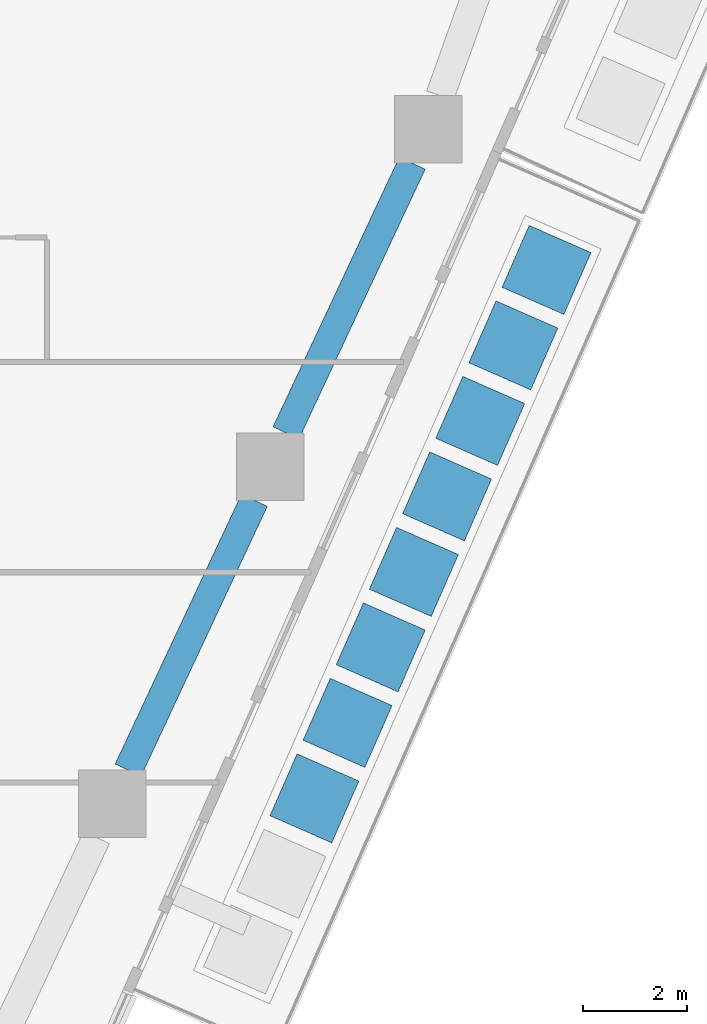
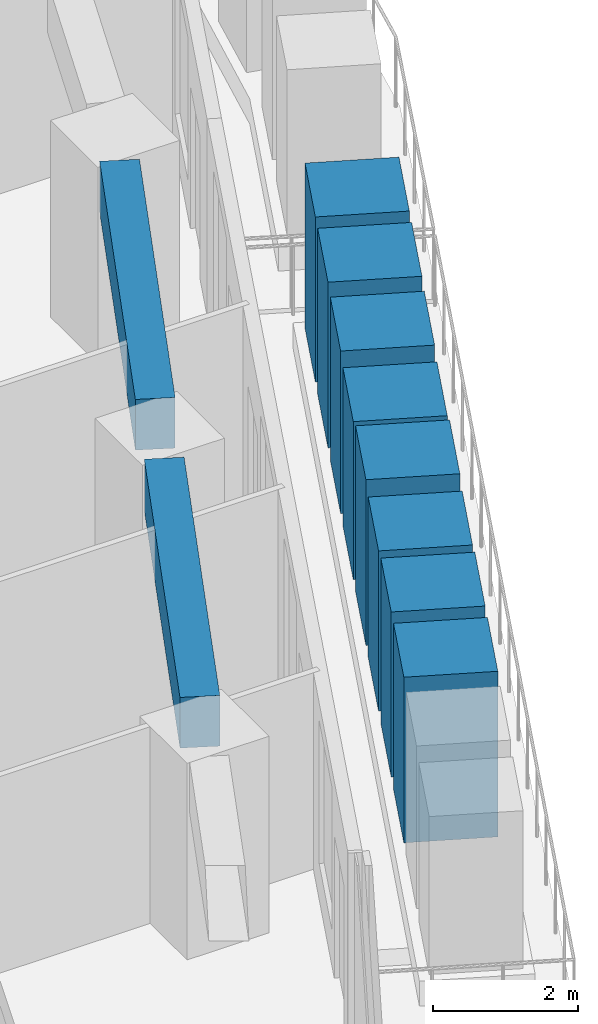
# One storey, part 5 of 23: 8 members, 2 beams.
"""IFC4 building model written with IfcOpenShell, lengths in metres."""

from ifc_helpers import new_model, si_unit, direction, frame, origin, origin_2d, place, context, subcontext, project, spatial, rectangle, extrude, material, material_profile, profile_set, type_object, element, save


model = new_model("IFC4")

# Units and contexts
model_context = context("Model", 3, precision=1e-05, world=origin(), true_north=direction((0.0, 1.0)))
body_context = subcontext(model_context, "Body", "Model", "MODEL_VIEW")
ifc_project = project(units=[si_unit("LENGTHUNIT", "METRE"), si_unit("AREAUNIT", "SQUARE_METRE"), si_unit("VOLUMEUNIT", "CUBIC_METRE"), si_unit("PLANEANGLEUNIT", "RADIAN"), si_unit("MASSUNIT", "GRAM", prefix="KILO")], contexts=[model_context])

# Site, building, storey
site_placement = place(None, origin())
site = spatial("IfcSite", under=ifc_project, at=site_placement, CompositionType="ELEMENT")
building_placement = place(site_placement, origin())
building = spatial("IfcBuilding", under=site, at=building_placement, Name="Dongbaek Canopy Tower", CompositionType="ELEMENT")
storey_placement = place(building_placement, frame((0.0, 0.0, 135.89990234375)))
storey = spatial("IfcBuildingStorey", under=building, at=storey_placement, Name="L30", CompositionType="ELEMENT", Elevation=135.89990234375)

# Beams
ifc_material_1 = material(Name="Concrete C80", Category="concrete")
ifc_material_profile_1 = material_profile(ifc_material_1, rectangle(XDim=0.550048828125, YDim=0.85009765625, at=origin_2d()), Name="RC EDGE BEAM 550x850 C80")
ifc_profile_set_1 = profile_set([ifc_material_profile_1], Name="Concrete C80")
beam_type = type_object("IfcBeamType", Name="RC EDGE BEAM 550x850 C80", PredefinedType="BEAM", material=ifc_profile_set_1)
beam_1_placement = place(storey_placement, frame((27.131591796875, -0.81494140625, 2.875), z_axis=(-0.424053070164, -0.90563734115, 0.0), x_axis=(0.90563734115, -0.424053070164, 0.0)))
element("IfcBeam", 1, at=beam_1_placement, inside=storey, type_object=beam_type, Name="EDGEBEAM:L30:22", PredefinedType="BEAM", context=body_context, shape_type="SweptSolid", body=[
    extrude(rectangle(XDim=0.550048828125, YDim=0.85009765625, at=origin_2d()), origin(), (0.0, 0.0, 1.0), 5.733154296875),
])
beam_2_placement = place(storey_placement, frame((24.091796875, -7.306884765625, 2.875), z_axis=(-0.424022586017, -0.905651614335, 0.0), x_axis=(0.905651614335, -0.424022586017, 0.0)))
element("IfcBeam", 2, at=beam_2_placement, inside=storey, type_object=beam_type, Name="EDGEBEAM:L30:23", PredefinedType="BEAM", context=body_context, shape_type="SweptSolid", body=[
    extrude(rectangle(XDim=0.550048828125, YDim=0.85009765625, at=origin_2d()), origin(), (0.0, 0.0, 1.0), 5.734130859375),
])

# Members
ifc_material_2 = material(Name="Concrete C40/50 planter mass with planting", Category="concrete")
ifc_material_profile_2 = material_profile(ifc_material_2, rectangle(XDim=1.300048828125, YDim=1.300048828125, at=origin_2d()), Name="Terrace PLANTER shrub mass 1300 x 1300")
ifc_profile_set_2 = profile_set([ifc_material_profile_2], Name="Concrete C40/50 planter mass with planting")
member_type = type_object("IfcMemberType", Name="Terrace PLANTER shrub mass 1300 x 1300", PredefinedType="USERDEFINED", material=ifc_profile_set_2)
member_1_placement = place(storey_placement, frame((25.24755859375, -13.045166015625, 0.420166015625), z_axis=(0.0, 0.0, 1.0), x_axis=(0.915562348389, -0.402176063698, 0.0)))
element("IfcMember", 3, at=member_1_placement, inside=storey, type_object=member_type, Name="Planter shrubs L30 4.3", ObjectType="PLANTER", PredefinedType="USERDEFINED", context=body_context, shape_type="SweptSolid", body=[
    extrude(rectangle(XDim=1.300048828125, YDim=1.300048828125, at=origin_2d()), origin(), (0.0, 0.0, 1.0), 2.780029296875),
])
member_2_placement = place(storey_placement, frame((25.885986328125, -11.591552734375, 0.420166015625), z_axis=(0.0, 0.0, 1.0), x_axis=(0.915562348389, -0.402176063698, 0.0)))
element("IfcMember", 4, at=member_2_placement, inside=storey, type_object=member_type, Name="Planter shrubs L30 4.4", ObjectType="PLANTER", PredefinedType="USERDEFINED", context=body_context, shape_type="SweptSolid", body=[
    extrude(rectangle(XDim=1.300048828125, YDim=1.300048828125, at=origin_2d()), origin(), (0.0, 0.0, 1.0), 2.77001953125),
])
member_3_placement = place(storey_placement, frame((26.524658203125, -10.137939453125, 0.420166015625), z_axis=(0.0, 0.0, 1.0), x_axis=(0.915562348389, -0.402176063698, 0.0)))
element("IfcMember", 5, at=member_3_placement, inside=storey, type_object=member_type, Name="Planter shrubs L30 4.5", ObjectType="PLANTER", PredefinedType="USERDEFINED", context=body_context, shape_type="SweptSolid", body=[
    extrude(rectangle(XDim=1.300048828125, YDim=1.300048828125, at=origin_2d()), origin(), (0.0, 0.0, 1.0), 2.68994140625),
])
member_4_placement = place(storey_placement, frame((27.1630859375, -8.684326171875, 0.420166015625), z_axis=(0.0, 0.0, 1.0), x_axis=(0.915562348389, -0.402176063698, 0.0)))
element("IfcMember", 6, at=member_4_placement, inside=storey, type_object=member_type, Name="Planter shrubs L30 4.6", ObjectType="PLANTER", PredefinedType="USERDEFINED", context=body_context, shape_type="SweptSolid", body=[
    extrude(rectangle(XDim=1.300048828125, YDim=1.300048828125, at=origin_2d()), origin(), (0.0, 0.0, 1.0), 2.780029296875),
])
member_5_placement = place(storey_placement, frame((27.8017578125, -7.230712890625, 0.420166015625), z_axis=(0.0, 0.0, 1.0), x_axis=(0.915562348389, -0.402176063698, 0.0)))
element("IfcMember", 7, at=member_5_placement, inside=storey, type_object=member_type, Name="Planter shrubs L30 4.7", ObjectType="PLANTER", PredefinedType="USERDEFINED", context=body_context, shape_type="SweptSolid", body=[
    extrude(rectangle(XDim=1.300048828125, YDim=1.300048828125, at=origin_2d()), origin(), (0.0, 0.0, 1.0), 2.64990234375),
])
member_6_placement = place(storey_placement, frame((28.440185546875, -5.777099609375, 0.420166015625), z_axis=(0.0, 0.0, 1.0), x_axis=(0.915562348389, -0.402176063698, 0.0)))
element("IfcMember", 8, at=member_6_placement, inside=storey, type_object=member_type, Name="Planter shrubs L30 4.8", ObjectType="PLANTER", PredefinedType="USERDEFINED", context=body_context, shape_type="SweptSolid", body=[
    extrude(rectangle(XDim=1.300048828125, YDim=1.300048828125, at=origin_2d()), origin(), (0.0, 0.0, 1.0), 2.72998046875),
])
member_7_placement = place(storey_placement, frame((29.07861328125, -4.323486328125, 0.420166015625), z_axis=(0.0, 0.0, 1.0), x_axis=(0.915562348389, -0.402176063698, 0.0)))
element("IfcMember", 9, at=member_7_placement, inside=storey, type_object=member_type, Name="Planter shrubs L30 4.9", ObjectType="PLANTER", PredefinedType="USERDEFINED", context=body_context, shape_type="SweptSolid", body=[
    extrude(rectangle(XDim=1.300048828125, YDim=1.300048828125, at=origin_2d()), origin(), (0.0, 0.0, 1.0), 2.780029296875),
])
member_8_placement = place(storey_placement, frame((29.71728515625, -2.869873046875, 0.420166015625), z_axis=(0.0, 0.0, 1.0), x_axis=(0.915562348389, -0.402176063698, 0.0)))
element("IfcMember", 10, at=member_8_placement, inside=storey, type_object=member_type, Name="Planter shrubs L30 4.10", ObjectType="PLANTER", PredefinedType="USERDEFINED", context=body_context, shape_type="SweptSolid", body=[
    extrude(rectangle(XDim=1.300048828125, YDim=1.300048828125, at=origin_2d()), origin(), (0.0, 0.0, 1.0), 2.77001953125),
])

save(model, "model.ifc")
